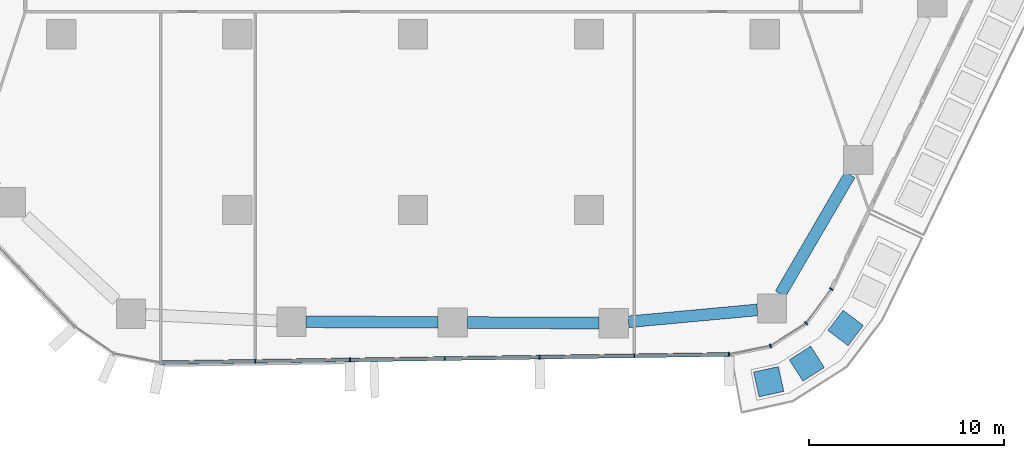
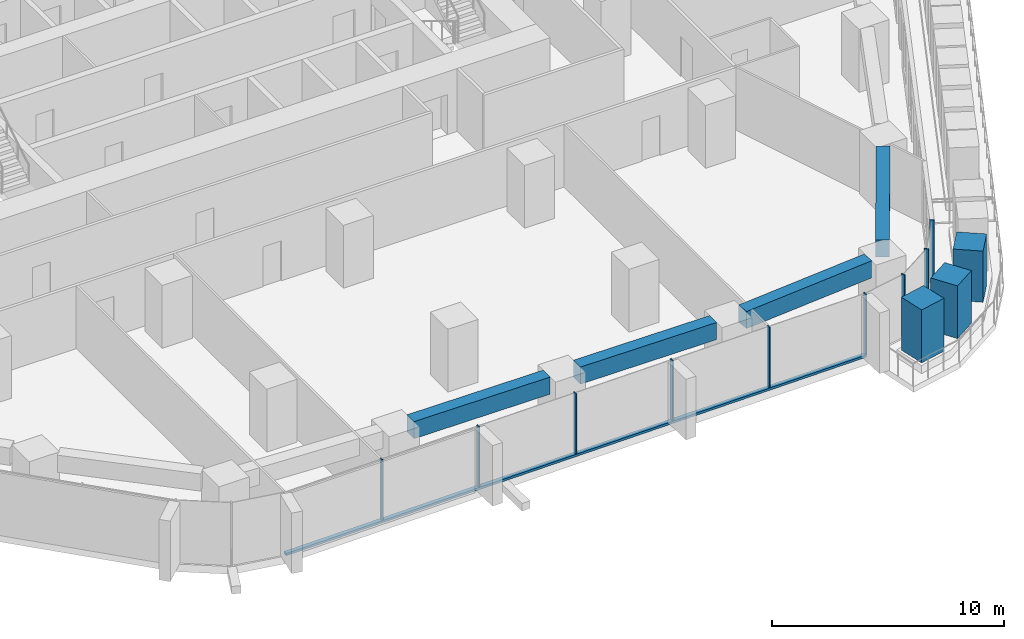
# One storey, part 4 of 24: 13 members, 4 beams, 2 elements without a shape of their own.
"""IFC4 building model written with IfcOpenShell, lengths in metres."""

from ifc_helpers import new_model, si_unit, direction, frame, origin, origin_2d, place, context, subcontext, project, spatial, rectangle, extrude, material, layer, layer_set, material_profile, profile_set, type_object, element, aggregate, save


model = new_model("IFC4")

# Units and contexts
model_context = context("Model", 3, precision=1e-05, world=origin(), true_north=direction((0.0, 1.0)))
body_context = subcontext(model_context, "Body", "Model", "MODEL_VIEW")
ifc_project = project(units=[si_unit("LENGTHUNIT", "METRE"), si_unit("AREAUNIT", "SQUARE_METRE"), si_unit("VOLUMEUNIT", "CUBIC_METRE"), si_unit("PLANEANGLEUNIT", "RADIAN"), si_unit("MASSUNIT", "GRAM", prefix="KILO")], contexts=[model_context])

# Site, building, storey
site_placement = place(None, origin())
site = spatial("IfcSite", under=ifc_project, at=site_placement, CompositionType="ELEMENT")
building_placement = place(site_placement, origin())
building = spatial("IfcBuilding", under=site, at=building_placement, Name="Dongbaek Canopy Tower", CompositionType="ELEMENT")
storey_placement = place(building_placement, frame((0.0, 0.0, 47.699951171875)))
storey = spatial("IfcBuildingStorey", under=building, at=storey_placement, Name="L07", CompositionType="ELEMENT", Elevation=47.699951171875)

# Curtain wall, members
ifc_material_1 = material(Name="Aluminium 6063-T6 pale anodised", Category="aluminium")
ifc_layer = layer(ifc_material_1, 0.199951171875)
ifc_layer_set = layer_set([ifc_layer], Name="CW-1 unitised tower curtain wall")
curtain_wall_type = type_object("IfcCurtainWallType", Name="CW-1 unitised tower curtain wall", PredefinedType="NOTDEFINED", material=ifc_layer_set)
curtain_wall_1_placement = place(storey_placement, origin())
curtain_wall_1 = element("IfcCurtainWall", 1, at=curtain_wall_1_placement, inside=storey, type_object=curtain_wall_type, Name="CW-1 curtain wall F4.1", PredefinedType="NOTDEFINED")
ifc_material_2 = material(Name="Aluminium 6063-T6 pale anodised", Category="aluminium")
ifc_material_profile_1 = material_profile(ifc_material_2, rectangle(XDim=0.199951171875, YDim=0.06005859375, at=origin_2d()), Name="CW-1 mullion 60 x 200")
ifc_profile_set_1 = profile_set([ifc_material_profile_1], Name="Aluminium 6063-T6 pale anodised")
member_type_1 = type_object("IfcMemberType", Name="CW-1 mullion 60 x 200", PredefinedType="MULLION", material=ifc_profile_set_1)
member_1_placement = place(storey_placement, frame((-8.08056640625, -34.741943359375, 0.1201171875), z_axis=(0.0, 0.0, 1.0), x_axis=(0.014618811778, -0.999893139462, 0.0)))
member_1 = element("IfcMember", 2, at=member_1_placement, type_object=member_type_1, Name="CW-1 mullion F4.1.2", PredefinedType="MULLION", context=body_context, shape_type="SweptSolid", body=[
    extrude(rectangle(XDim=0.199951171875, YDim=0.06005859375, at=origin_2d()), origin(), (0.0, 0.0, 1.0), 3.179931640625),
])
member_2_placement = place(storey_placement, frame((-3.229248046875, -34.671142578125, 0.1201171875), z_axis=(0.0, 0.0, 1.0), x_axis=(0.014618811778, -0.999893139462, 0.0)))
member_2 = element("IfcMember", 3, at=member_2_placement, type_object=member_type_1, Name="CW-1 mullion F4.1.3", PredefinedType="MULLION", context=body_context, shape_type="SweptSolid", body=[
    extrude(rectangle(XDim=0.199951171875, YDim=0.06005859375, at=origin_2d()), origin(), (0.0, 0.0, 1.0), 3.179931640625),
])
member_3_placement = place(storey_placement, frame((1.6220703125, -34.60009765625, 0.1201171875), z_axis=(0.0, 0.0, 1.0), x_axis=(0.014618811778, -0.999893139462, 0.0)))
member_3 = element("IfcMember", 4, at=member_3_placement, type_object=member_type_1, Name="CW-1 mullion F4.1.4", PredefinedType="MULLION", context=body_context, shape_type="SweptSolid", body=[
    extrude(rectangle(XDim=0.199951171875, YDim=0.06005859375, at=origin_2d()), origin(), (0.0, 0.0, 1.0), 3.179931640625),
])
member_4_placement = place(storey_placement, frame((6.473388671875, -34.529052734375, 0.1201171875), z_axis=(0.0, 0.0, 1.0), x_axis=(0.014618811778, -0.999893139462, 0.0)))
member_4 = element("IfcMember", 5, at=member_4_placement, type_object=member_type_1, Name="CW-1 mullion F4.1.5", PredefinedType="MULLION", context=body_context, shape_type="SweptSolid", body=[
    extrude(rectangle(XDim=0.199951171875, YDim=0.06005859375, at=origin_2d()), origin(), (0.0, 0.0, 1.0), 3.179931640625),
])
member_5_placement = place(storey_placement, frame((11.32470703125, -34.458251953125, 0.1201171875), z_axis=(0.0, 0.0, 1.0), x_axis=(0.014618811778, -0.999893139462, 0.0)))
member_5 = element("IfcMember", 6, at=member_5_placement, type_object=member_type_1, Name="CW-1 mullion F4.1.6", PredefinedType="MULLION", context=body_context, shape_type="SweptSolid", body=[
    extrude(rectangle(XDim=0.199951171875, YDim=0.06005859375, at=origin_2d()), origin(), (0.0, 0.0, 1.0), 3.179931640625),
])
member_6_placement = place(storey_placement, frame((16.166748046875, -34.387451171875, 0.1201171875), z_axis=(0.0, 0.0, 1.0), x_axis=(0.014618811778, -0.999893139462, 0.0)))
member_6 = element("IfcMember", 7, at=member_6_placement, type_object=member_type_1, Name="CW-1 mullion F4.1.7", PredefinedType="MULLION", context=body_context, shape_type="SweptSolid", body=[
    extrude(rectangle(XDim=0.199951171875, YDim=0.06005859375, at=origin_2d()), origin(), (0.0, 0.0, 1.0), 3.179931640625),
])

curtain_wall_2_placement = place(storey_placement, origin())
curtain_wall_2 = element("IfcCurtainWall", 8, at=curtain_wall_2_placement, inside=storey, type_object=curtain_wall_type, Name="CW-1 curtain wall K5.1", PredefinedType="NOTDEFINED")
member_7_placement = place(storey_placement, frame((18.29541015625, -33.958251953125, 0.0), z_axis=(0.0, 0.0, 1.0), x_axis=(0.37392882128, -0.927457404206, 0.0)))
member_7 = element("IfcMember", 9, at=member_7_placement, type_object=member_type_1, Name="CW-1 mullion K5.1.2", PredefinedType="MULLION", context=body_context, shape_type="SweptSolid", body=[
    extrude(rectangle(XDim=0.199951171875, YDim=0.06005859375, at=origin_2d()), origin(), (0.0, 0.0, 1.0), 3.300048828125),
])
member_8_placement = place(storey_placement, frame((20.118408203125, -32.796142578125, 0.0), z_axis=(0.0, 0.0, 1.0), x_axis=(0.683001262317, -0.730417192892, 0.0)))
member_8 = element("IfcMember", 10, at=member_8_placement, type_object=member_type_1, Name="CW-1 mullion K5.1.3", PredefinedType="MULLION", context=body_context, shape_type="SweptSolid", body=[
    extrude(rectangle(XDim=0.199951171875, YDim=0.06005859375, at=origin_2d()), origin(), (0.0, 0.0, 1.0), 3.300048828125),
])
member_9_placement = place(storey_placement, frame((21.40576171875, -31.047607421875, 0.0), z_axis=(0.0, 0.0, 1.0), x_axis=(0.805296174673, -0.592872727538, 0.0)))
member_9 = element("IfcMember", 11, at=member_9_placement, type_object=member_type_1, Name="CW-1 mullion K5.1.4", PredefinedType="MULLION", context=body_context, shape_type="SweptSolid", body=[
    extrude(rectangle(XDim=0.199951171875, YDim=0.06005859375, at=origin_2d()), origin(), (0.0, 0.0, 1.0), 3.300048828125),
])
aggregate(curtain_wall_2, [member_7, member_8, member_9])

# Member
ifc_material_3 = material(Name="Aluminium 6063-T6 pale anodised", Category="aluminium")
ifc_material_profile_2 = material_profile(ifc_material_3, rectangle(XDim=0.199951171875, YDim=0.1201171875, at=origin_2d()), Name="CW-1 transom 120 x 200")
ifc_profile_set_2 = profile_set([ifc_material_profile_2], Name="Aluminium 6063-T6 pale anodised")
member_type_2 = type_object("IfcMemberType", Name="CW-1 transom 120 x 200", PredefinedType="USERDEFINED", material=ifc_profile_set_2)
member_10_placement = place(storey_placement, frame((-12.92138671875, -34.812744140625, 0.06005859375), z_axis=(0.99989313265, 0.014619277662, 0.0), x_axis=(-0.014619277662, 0.99989313265, 0.0)))
member_10 = element("IfcMember", 12, at=member_10_placement, type_object=member_type_2, Name="CW-1 transom F4.1.1", ObjectType="TRANSOM", PredefinedType="USERDEFINED", context=body_context, shape_type="SweptSolid", body=[
    extrude(rectangle(XDim=0.199951171875, YDim=0.1201171875, at=origin_2d()), origin(), (0.0, 0.0, 1.0), 29.09130859375),
])

aggregate(curtain_wall_1, [member_1, member_2, member_3, member_4, member_5, member_6, member_10])

# Beams
ifc_material_4 = material(Name="Concrete C80", Category="concrete")
ifc_material_profile_3 = material_profile(ifc_material_4, rectangle(XDim=0.60009765625, YDim=0.89990234375, at=origin_2d()), Name="RC EDGE BEAM 600x900 C80")
ifc_profile_set_3 = profile_set([ifc_material_profile_3], Name="Concrete C80")
beam_type = type_object("IfcBeamType", Name="RC EDGE BEAM 600x900 C80", PredefinedType="BEAM", material=ifc_profile_set_3)
beam_1_placement = place(storey_placement, frame((17.617919921875, -32.1123046875, 2.85009765625), z_axis=(-0.995766471257, -0.091919174929, 0.0), x_axis=(0.091919174929, -0.995766471257, 0.0)))
element("IfcBeam", 13, at=beam_1_placement, inside=storey, type_object=beam_type, Name="EDGEBEAM:L07:00", PredefinedType="BEAM", context=body_context, shape_type="SweptSolid", body=[
    extrude(rectangle(XDim=0.60009765625, YDim=0.89990234375, at=origin_2d()), origin(), (0.0, 0.0, 1.0), 6.618896484375),
])
beam_2_placement = place(storey_placement, frame((9.527099609375, -32.78662109375, 2.85009765625), z_axis=(-0.999989942747, 0.004484908597, 0.0), x_axis=(-0.004484908597, -0.999989942747, 0.0)))
element("IfcBeam", 14, at=beam_2_placement, inside=storey, type_object=beam_type, Name="EDGEBEAM:L07:01", PredefinedType="BEAM", context=body_context, shape_type="SweptSolid", body=[
    extrude(rectangle(XDim=0.60009765625, YDim=0.89990234375, at=origin_2d()), origin(), (0.0, 0.0, 1.0), 6.75),
])
beam_3_placement = place(storey_placement, frame((1.277099609375, -32.749755859375, 2.85009765625), z_axis=(-0.999990420723, 0.004377038088, 0.0), x_axis=(-0.004377038088, -0.999990420723, 0.0)))
element("IfcBeam", 15, at=beam_3_placement, inside=storey, type_object=beam_type, Name="EDGEBEAM:L07:02", PredefinedType="BEAM", context=body_context, shape_type="SweptSolid", body=[
    extrude(rectangle(XDim=0.60009765625, YDim=0.89990234375, at=origin_2d()), origin(), (0.0, 0.0, 1.0), 6.7490234375),
])
beam_4_placement = place(storey_placement, frame((22.35546875, -25.193115234375, 2.85009765625), z_axis=(-0.503081510817, -0.864238967806, 0.0), x_axis=(0.864238967806, -0.503081510817, 0.0)))
element("IfcBeam", 16, at=beam_4_placement, inside=storey, type_object=beam_type, Name="EDGEBEAM:L07:25", PredefinedType="BEAM", context=body_context, shape_type="SweptSolid", body=[
    extrude(rectangle(XDim=0.60009765625, YDim=0.89990234375, at=origin_2d()), origin(), (0.0, 0.0, 1.0), 7.05810546875),
])

# Members
ifc_material_5 = material(Name="Concrete C40/50 planter mass with planting", Category="concrete")
ifc_material_profile_4 = material_profile(ifc_material_5, rectangle(XDim=1.300048828125, YDim=1.300048828125, at=origin_2d()), Name="Terrace PLANTER shrub mass 1300 x 1300")
ifc_profile_set_4 = profile_set([ifc_material_profile_4], Name="Concrete C40/50 planter mass with planting")
member_type_3 = type_object("IfcMemberType", Name="Terrace PLANTER shrub mass 1300 x 1300", PredefinedType="USERDEFINED", material=ifc_profile_set_4)
member_11_placement = place(storey_placement, frame((18.2041015625, -35.7880859375, 0.420166015625), z_axis=(0.0, 0.0, 1.0), x_axis=(0.215583505402, -0.976485408083, 0.0)))
element("IfcMember", 17, at=member_11_placement, inside=storey, type_object=member_type_3, Name="Planter shrubs L07 7.1", ObjectType="PLANTER", PredefinedType="USERDEFINED", context=body_context, shape_type="SweptSolid", body=[
    extrude(rectangle(XDim=1.300048828125, YDim=1.300048828125, at=origin_2d()), origin(), (0.0, 0.0, 1.0), 2.77978515625),
])
member_12_placement = place(storey_placement, frame((20.15380859375, -34.862548828125, 0.420166015625), z_axis=(0.0, 0.0, 1.0), x_axis=(0.53757000626, -0.843219122393, 0.0)))
element("IfcMember", 18, at=member_12_placement, inside=storey, type_object=member_type_3, Name="Planter shrubs L07 7.2", ObjectType="PLANTER", PredefinedType="USERDEFINED", context=body_context, shape_type="SweptSolid", body=[
    extrude(rectangle(XDim=1.300048828125, YDim=1.300048828125, at=origin_2d()), origin(), (0.0, 0.0, 1.0), 2.769775390625),
])
member_13_placement = place(storey_placement, frame((22.140625, -33.038330078125, 0.420166015625), z_axis=(0.0, 0.0, 1.0), x_axis=(0.800496779808, -0.599337055018, 0.0)))
element("IfcMember", 19, at=member_13_placement, inside=storey, type_object=member_type_3, Name="Planter shrubs L07 7.3", ObjectType="PLANTER", PredefinedType="USERDEFINED", context=body_context, shape_type="SweptSolid", body=[
    extrude(rectangle(XDim=1.300048828125, YDim=1.300048828125, at=origin_2d()), origin(), (0.0, 0.0, 1.0), 2.68994140625),
])

save(model, "model.ifc")
